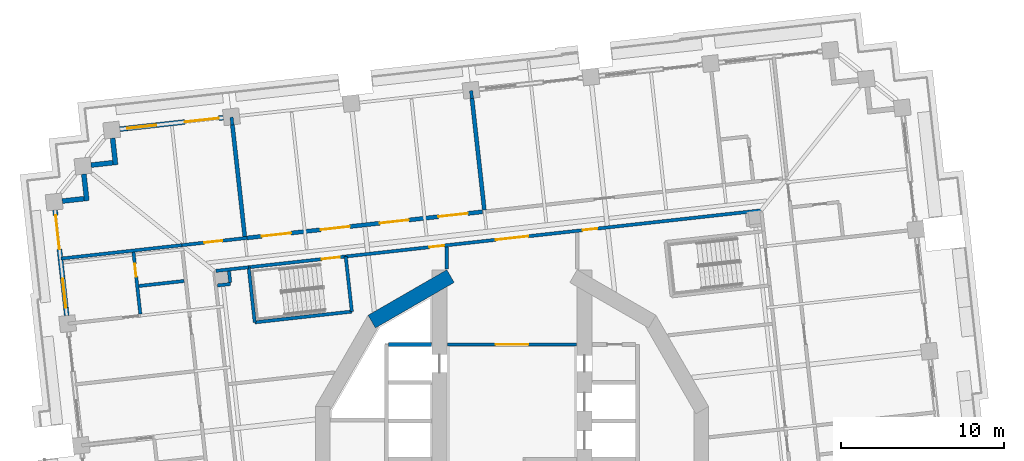
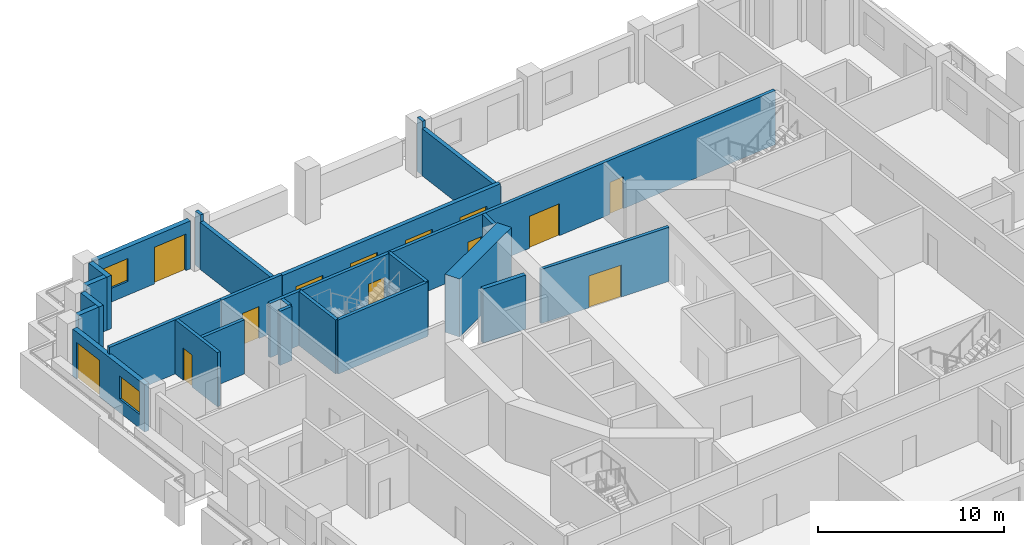
# One storey, part 8 of 19: 27 walls, 13 doors, 2 windows, 15 openings.
"""IFC4 building model written with IfcOpenShell, lengths in metres."""

from ifc_helpers import new_model, si_unit, direction, frame, frame_2d, origin, place, context, subcontext, project, spatial, rectangle, extrude, material, layer, layer_set, type_object, element, fill, save


model = new_model("IFC4")

# Units and contexts
model_context = context("Model", 3, precision=1e-05, world=origin(), true_north=direction((0.0, 1.0)))
body_context = subcontext(model_context, "Body", "Model", "MODEL_VIEW")
ifc_project = project(units=[si_unit("LENGTHUNIT", "METRE"), si_unit("AREAUNIT", "SQUARE_METRE"), si_unit("VOLUMEUNIT", "CUBIC_METRE"), si_unit("PLANEANGLEUNIT", "RADIAN"), si_unit("MASSUNIT", "GRAM", prefix="KILO")], contexts=[model_context])

# Site, building, storey
site_placement = place(None, origin())
site = spatial("IfcSite", under=ifc_project, at=site_placement, CompositionType="ELEMENT")
building_placement = place(site_placement, origin())
building = spatial("IfcBuilding", under=site, at=building_placement, Name="Cantera Rosa Tower", CompositionType="ELEMENT")
storey_placement = place(building_placement, frame((0.0, 0.0, 53.89990234375)))
storey = spatial("IfcBuildingStorey", under=building, at=storey_placement, Name="L10", CompositionType="ELEMENT", Elevation=53.89990234375)

# Walls
ifc_material_1 = material(Name="Gypsum board partition")
ifc_layer_1 = layer(ifc_material_1, 0.199951171875)
ifc_layer_set_1 = layer_set([ifc_layer_1], Name="CORRIDOR WALL 200 H3550")
wall_type_1 = type_object("IfcWallType", Name="CORRIDOR WALL 200 H3550", PredefinedType="PARTITIONING", material=ifc_layer_set_1)
wall_1_placement = place(storey_placement, frame((-16.172607421875, 11.787841796875, 0.0), z_axis=(0.0, 0.0, 1.0), x_axis=(-0.993905752705, -0.110233183482, 0.0)))
element("IfcWall", 1, at=wall_1_placement, inside=storey, type_object=wall_type_1, Name="CORRIDOR WALL L10-021", PredefinedType="PARTITIONING", context=body_context, shape_type="SweptSolid", body=[
    extrude(rectangle(XDim=2.026611328125, YDim=0.199951171875, at=frame_2d((1.01318359375, 0.0))), origin(), (0.0, 0.0, 1.0), 3.550048828125),
])
wall_2_placement = place(storey_placement, frame((-4.0, 13.038818359375, 0.0), z_axis=(0.0, 0.0, 1.0), x_axis=(0.0, -1.0, 0.0)))
element("IfcWall", 2, at=wall_2_placement, inside=storey, type_object=wall_type_1, Name="CORRIDOR WALL L10-051", PredefinedType="PARTITIONING", context=body_context, shape_type="SweptSolid", body=[
    extrude(rectangle(XDim=1.37158203125, YDim=0.199951171875, at=frame_2d((0.685791015625, 0.0))), origin(), (0.0, 0.0, 1.0), 3.550048828125),
])

# Wall, opening, door
wall_3_placement = place(storey_placement, frame((-3.969970703125, 7.050048828125, 0.0), z_axis=(0.0, 0.0, 1.0), x_axis=(1.0, 0.0, 0.0)))
wall_3 = element("IfcWall", 3, at=wall_3_placement, inside=storey, type_object=wall_type_1, Name="CORRIDOR WALL L10-052", PredefinedType="PARTITIONING", context=body_context, shape_type="SweptSolid", body=[
    extrude(rectangle(XDim=7.93994140625, YDim=0.199951171875, at=frame_2d((3.969970703125, 0.0))), origin(), (0.0, 0.0, 1.0), 3.550048828125),
])
opening_1_placement = place(wall_3_placement, frame((2.969970703125, 0.0, 0.0)))
opening_1 = element("IfcOpeningElement", 4, at=opening_1_placement, cuts=wall_3, Name="Opening L10-013", PredefinedType="OPENING", context=body_context, shape_type="SweptSolid", body=[
    extrude(rectangle(XDim=2.0, YDim=2.10009765625, at=frame_2d((1.0, 1.050048828125))), frame((0.0, 0.10986328125, 0.0), z_axis=(0.0, -1.0, 0.0), x_axis=(1.0, 0.0, 0.0)), (0.0, 0.0, 1.0), 0.219970703125),
])
ifc_material_2 = material(Name="Steel S355J2 (EN 10025-2)", Category="steel")
door_type_1 = type_object("IfcDoorType", Name="LOBBY SCREEN DOOR 2000x2100", OperationType="NOTDEFINED", PredefinedType="DOOR", material=ifc_material_2)
door_1_placement = place(opening_1_placement, origin())
door_1 = element("IfcDoor", 5, at=door_1_placement, inside=storey, type_object=door_type_1, Name="DOOR L10-013", OperationType="NOTDEFINED", OverallHeight=2.10009765625, OverallWidth=2.0, PredefinedType="DOOR", context=body_context, shape_type="SweptSolid", body=[
    extrude(rectangle(XDim=2.0, YDim=2.10009765625, at=frame_2d((1.0, 1.050048828125))), frame((0.0, 0.02490234375, 0.0), z_axis=(0.0, -1.0, 0.0), x_axis=(1.0, 0.0, 0.0)), (0.0, 0.0, 1.0), 0.050048828125),
])
fill(opening_1, door_1)

# Wall, openings, doors
wall_4_placement = place(storey_placement, frame((15.3076171875, 15.281982421875, 0.0), z_axis=(0.0, 0.0, 1.0), x_axis=(-0.993896137152, -0.110319846599, 0.0)))
wall_4 = element("IfcWall", 6, at=wall_4_placement, inside=storey, type_object=wall_type_1, Name="CORRIDOR WALL L10-084", PredefinedType="PARTITIONING", context=body_context, shape_type="SweptSolid", body=[
    extrude(rectangle(XDim=25.67333984375, YDim=0.199951171875, at=frame_2d((12.836669921875, 0.0))), origin(), (0.0, 0.0, 1.0), 3.550048828125),
])
opening_2_placement = place(wall_4_placement, frame((10.141357421875, 0.0, 0.0)))
opening_2 = element("IfcOpeningElement", 7, at=opening_2_placement, cuts=wall_4, Name="Opening L10-006", PredefinedType="OPENING", context=body_context, shape_type="SweptSolid", body=[
    extrude(rectangle(XDim=0.89990234375, YDim=2.10009765625, at=frame_2d((0.449951171875, 1.050048828125))), frame((0.0, 0.10986328125, 0.0), z_axis=(0.0, -1.0, 0.0), x_axis=(1.0, 0.0, 0.0)), (0.0, 0.0, 1.0), 0.219970703125),
])
opening_3_placement = place(wall_4_placement, frame((19.600830078125, 0.0, 0.0)))
opening_3 = element("IfcOpeningElement", 8, at=opening_3_placement, cuts=wall_4, Name="Opening L10-007", PredefinedType="OPENING", context=body_context, shape_type="SweptSolid", body=[
    extrude(rectangle(XDim=0.89990234375, YDim=2.10009765625, at=frame_2d((0.449951171875, 1.050048828125))), frame((0.0, 0.10986328125, 0.0), z_axis=(0.0, -1.0, 0.0), x_axis=(1.0, 0.0, 0.0)), (0.0, 0.0, 1.0), 0.219970703125),
])
opening_4_placement = place(wall_4_placement, frame((14.401611328125, 0.0, 0.0)))
opening_4 = element("IfcOpeningElement", 9, at=opening_4_placement, cuts=wall_4, Name="Opening L10-012", PredefinedType="OPENING", context=body_context, shape_type="SweptSolid", body=[
    extrude(rectangle(XDim=2.0, YDim=2.10009765625, at=frame_2d((1.0, 1.050048828125))), frame((0.0, 0.10986328125, 0.0), z_axis=(0.0, -1.0, 0.0), x_axis=(1.0, 0.0, 0.0)), (0.0, 0.0, 1.0), 0.219970703125),
])
door_2_placement = place(opening_4_placement, origin())
door_2 = element("IfcDoor", 10, at=door_2_placement, inside=storey, type_object=door_type_1, Name="DOOR L10-012", OperationType="NOTDEFINED", OverallHeight=2.10009765625, OverallWidth=2.0, PredefinedType="DOOR", context=body_context, shape_type="SweptSolid", body=[
    extrude(rectangle(XDim=2.0, YDim=2.10009765625, at=frame_2d((1.0, 1.050048828125))), frame((0.0, 0.02490234375, 0.0), z_axis=(0.0, -1.0, 0.0), x_axis=(1.0, 0.0, 0.0)), (0.0, 0.0, 1.0), 0.050048828125),
])
fill(opening_4, door_2)
ifc_material_3 = material(Name="Timber door leaf", Category="wood")
door_type_2 = type_object("IfcDoorType", Name="SERVICE DOOR 900x2100", OperationType="NOTDEFINED", PredefinedType="DOOR", material=ifc_material_3)
door_3_placement = place(opening_2_placement, origin())
door_3 = element("IfcDoor", 11, at=door_3_placement, inside=storey, type_object=door_type_2, Name="DOOR L10-006", OperationType="NOTDEFINED", OverallHeight=2.10009765625, OverallWidth=0.89990234375, PredefinedType="DOOR", context=body_context, shape_type="SweptSolid", body=[
    extrude(rectangle(XDim=0.89990234375, YDim=2.10009765625, at=frame_2d((0.449951171875, 1.050048828125))), frame((0.0, 0.02490234375, 0.0), z_axis=(0.0, -1.0, 0.0), x_axis=(1.0, 0.0, 0.0)), (0.0, 0.0, 1.0), 0.050048828125),
])
fill(opening_2, door_3)
door_4_placement = place(opening_3_placement, origin())
door_4 = element("IfcDoor", 12, at=door_4_placement, inside=storey, type_object=door_type_2, Name="DOOR L10-007", OperationType="NOTDEFINED", OverallHeight=2.10009765625, OverallWidth=0.89990234375, PredefinedType="DOOR", context=body_context, shape_type="SweptSolid", body=[
    extrude(rectangle(XDim=0.89990234375, YDim=2.10009765625, at=frame_2d((0.449951171875, 1.050048828125))), frame((0.0, 0.02490234375, 0.0), z_axis=(0.0, -1.0, 0.0), x_axis=(1.0, 0.0, 0.0)), (0.0, 0.0, 1.0), 0.050048828125),
])
fill(opening_3, door_4)

# Wall, opening, door
wall_5_placement = place(storey_placement, frame((-16.273193359375, 13.587890625, 0.0), z_axis=(0.0, 0.0, 1.0), x_axis=(-0.993894825106, -0.110331666476, 0.0)))
wall_5 = element("IfcWall", 13, at=wall_5_placement, inside=storey, type_object=wall_type_1, Name="CORRIDOR WALL L10-093", PredefinedType="PARTITIONING", context=body_context, shape_type="SweptSolid", body=[
    extrude(rectangle(XDim=4.025146484375, YDim=0.199951171875, at=frame_2d((2.0126953125, 0.0))), origin(), (0.0, 0.0, 1.0), 3.550048828125),
])
opening_5_placement = place(wall_5_placement, frame((1.52490234375, 0.0, 0.0)))
opening_5 = element("IfcOpeningElement", 14, at=opening_5_placement, cuts=wall_5, Name="Opening L10-028", PredefinedType="OPENING", context=body_context, shape_type="SweptSolid", body=[
    extrude(rectangle(XDim=1.10009765625, YDim=2.10009765625, at=frame_2d((0.550048828125, 1.050048828125))), frame((0.0, 0.10986328125, 0.0), z_axis=(0.0, -1.0, 0.0), x_axis=(1.0, 0.0, 0.0)), (0.0, 0.0, 1.0), 0.219970703125),
])
ifc_material_4 = material(Name="Timber door leaf", Category="wood")
door_type_3 = type_object("IfcDoorType", Name="ROOM DOOR 1100x2100", OperationType="NOTDEFINED", PredefinedType="DOOR", material=ifc_material_4)
door_5_placement = place(opening_5_placement, origin())
door_5 = element("IfcDoor", 15, at=door_5_placement, inside=storey, type_object=door_type_3, Name="DOOR L10-028", OperationType="NOTDEFINED", OverallHeight=2.10009765625, OverallWidth=1.10009765625, PredefinedType="DOOR", context=body_context, shape_type="SweptSolid", body=[
    extrude(rectangle(XDim=1.10009765625, YDim=2.10009765625, at=frame_2d((0.550048828125, 1.050048828125))), frame((0.0, 0.02490234375, 0.0), z_axis=(0.0, -1.0, 0.0), x_axis=(1.0, 0.0, 0.0)), (0.0, 0.0, 1.0), 0.050048828125),
])
fill(opening_5, door_5)

# Walls
ifc_material_5 = material(Name="Hollow clay masonry with cantera stone cladding", Category="masonry")
ifc_layer_2 = layer(ifc_material_5, 0.300048828125)
ifc_layer_set_2 = layer_set([ifc_layer_2], Name="EW-LOGGIA 300")
wall_type_2 = type_object("IfcWallType", Name="EW-LOGGIA 300", PredefinedType="SOLIDWALL", material=ifc_layer_set_2)
wall_6_placement = place(storey_placement, frame((-24.5244140625, 19.71484375, 0.0), z_axis=(0.0, 0.0, 1.0), x_axis=(0.110236638423, -0.993905369514, 0.0)))
element("IfcWall", 16, at=wall_6_placement, inside=storey, type_object=wall_type_2, Name="EN-L10-W14a", PredefinedType="SOLIDWALL", context=body_context, shape_type="SweptSolid", body=[
    extrude(rectangle(XDim=1.64990234375, YDim=0.300048828125, at=frame_2d((0.824951171875, 0.0))), origin(), (0.0, 0.0, 1.0), 3.5),
])
wall_7_placement = place(storey_placement, frame((-24.508056640625, 18.20751953125, 0.0), z_axis=(0.0, 0.0, 1.0), x_axis=(-0.993896959738, -0.110312435488, 0.0)))
element("IfcWall", 17, at=wall_7_placement, inside=storey, type_object=wall_type_2, Name="EN-L10-W14b", PredefinedType="SOLIDWALL", context=body_context, shape_type="SweptSolid", body=[
    extrude(rectangle(XDim=1.35009765625, YDim=0.300048828125, at=frame_2d((0.675048828125, 0.0))), origin(), (0.0, 0.0, 1.0), 3.5),
])
wall_8_placement = place(storey_placement, frame((-26.291748046875, 17.506591796875, 0.0), z_axis=(0.0, 0.0, 1.0), x_axis=(0.110382805355, -0.993889146878, 0.0)))
element("IfcWall", 18, at=wall_8_placement, inside=storey, type_object=wall_type_2, Name="EN-L10-W15a", PredefinedType="SOLIDWALL", context=body_context, shape_type="SweptSolid", body=[
    extrude(rectangle(XDim=1.64990234375, YDim=0.300048828125, at=frame_2d((0.824951171875, 0.0))), origin(), (0.0, 0.0, 1.0), 3.5),
])
wall_9_placement = place(storey_placement, frame((-26.275146484375, 15.999267578125, 0.0), z_axis=(0.0, 0.0, 1.0), x_axis=(-0.993896959738, -0.110312435488, 0.0)))
element("IfcWall", 19, at=wall_9_placement, inside=storey, type_object=wall_type_2, Name="EN-L10-W15b", PredefinedType="SOLIDWALL", context=body_context, shape_type="SweptSolid", body=[
    extrude(rectangle(XDim=1.35009765625, YDim=0.300048828125, at=frame_2d((0.675048828125, 0.0))), origin(), (0.0, 0.0, 1.0), 3.5),
])

# Wall, openings, window, door
ifc_material_6 = material(Name="Hollow clay masonry with cantera stone cladding", Category="masonry")
ifc_layer_3 = layer(ifc_material_6, 0.300048828125)
ifc_layer_set_3 = layer_set([ifc_layer_3], Name="EW-LOGGIA 300 H3090")
wall_type_3 = type_object("IfcWallType", Name="EW-LOGGIA 300 H3090", PredefinedType="SOLIDWALL", material=ifc_layer_set_3)
wall_10_placement = place(storey_placement, frame((-28.058837890625, 15.298095703125, 0.0), z_axis=(0.0, 0.0, 1.0), x_axis=(0.110312341265, -0.993896970196, 0.0)))
wall_10 = element("IfcWall", 20, at=wall_10_placement, inside=storey, type_object=wall_type_3, Name="EN-L10-W16", PredefinedType="SOLIDWALL", context=body_context, shape_type="SweptSolid", body=[
    extrude(rectangle(XDim=6.52001953125, YDim=0.300048828125, at=frame_2d((3.260009765625, 0.0))), origin(), (0.0, 0.0, 1.0), 3.090087890625),
])
opening_6_placement = place(wall_10_placement, frame((0.330078125, 0.0, 0.0)))
opening_6 = element("IfcOpeningElement", 21, at=opening_6_placement, cuts=wall_10, Name="Opening L10-TD19", PredefinedType="OPENING", context=body_context, shape_type="SweptSolid", body=[
    extrude(rectangle(XDim=2.10009765625, YDim=2.39990234375, at=frame_2d((1.050048828125, 1.199951171875))), frame((0.0, 0.159912109375, 0.0), z_axis=(0.0, -1.0, 0.0), x_axis=(1.0, 0.0, 0.0)), (0.0, 0.0, 1.0), 0.320068359375),
])
opening_7_placement = place(wall_10_placement, frame((4.239990234375, 0.0, 0.89990234375)))
opening_7 = element("IfcOpeningElement", 22, at=opening_7_placement, cuts=wall_10, Name="Opening L10-W20", PredefinedType="OPENING", context=body_context, shape_type="SweptSolid", body=[
    extrude(rectangle(XDim=1.800048828125, YDim=1.5, at=frame_2d((0.89990234375, 0.75))), frame((0.0, 0.159912109375, 0.0), z_axis=(0.0, -1.0, 0.0), x_axis=(1.0, 0.0, 0.0)), (0.0, 0.0, 1.0), 0.320068359375),
])
ifc_material_7 = material(Name="Aluminium frame with clear glass", Category="aluminium")
window_type = type_object("IfcWindowType", Name="Hotel room window 1800x1500", PartitioningType="DOUBLE_PANEL_VERTICAL", PredefinedType="WINDOW", material=ifc_material_7)
window_1_placement = place(opening_7_placement, origin())
window_1 = element("IfcWindow", 23, at=window_1_placement, inside=storey, type_object=window_type, Name="WINDOW L10-W20", OverallHeight=1.5, OverallWidth=1.800048828125, PartitioningType="SINGLE_PANEL", PredefinedType="WINDOW", context=body_context, shape_type="SweptSolid", body=[
    extrude(rectangle(XDim=1.800048828125, YDim=1.5, at=frame_2d((0.89990234375, 0.75))), frame((0.0, 0.030029296875, 0.0), z_axis=(0.0, -1.0, 0.0), x_axis=(1.0, 0.0, 0.0)), (0.0, 0.0, 1.0), 0.06005859375),
])
fill(opening_7, window_1)
ifc_material_8 = material(Name="Aluminium frame with clear glass", Category="aluminium")
door_type_4 = type_object("IfcDoorType", Name="TD-H 2100x2400", OperationType="NOTDEFINED", PredefinedType="DOOR", material=ifc_material_8)
door_6_placement = place(opening_6_placement, origin())
door_6 = element("IfcDoor", 24, at=door_6_placement, inside=storey, type_object=door_type_4, Name="LOGGIA DOOR L10-TD19", OperationType="SLIDING_TO_LEFT", OverallHeight=2.39990234375, OverallWidth=2.10009765625, PredefinedType="DOOR", context=body_context, shape_type="SweptSolid", body=[
    extrude(rectangle(XDim=2.10009765625, YDim=2.39990234375, at=frame_2d((1.050048828125, 1.199951171875))), frame((0.0, 0.02490234375, 0.0), z_axis=(0.0, -1.0, 0.0), x_axis=(1.0, 0.0, 0.0)), (0.0, 0.0, 1.0), 0.050048828125),
])
fill(opening_6, door_6)

ifc_material_9 = material(Name="Hollow clay masonry with cantera stone cladding", Category="masonry")
ifc_layer_4 = layer(ifc_material_9, 0.300048828125)
ifc_layer_set_4 = layer_set([ifc_layer_4], Name="EW-LOGGIA 300 H3140")
wall_type_4 = type_object("IfcWallType", Name="EW-LOGGIA 300 H3140", PredefinedType="SOLIDWALL", material=ifc_layer_set_4)
wall_11_placement = place(storey_placement, frame((-17.7216796875, 20.97314453125, 0.0), z_axis=(0.0, 0.0, 1.0), x_axis=(-0.993896288542, -0.110318482689, 0.0)))
wall_11 = element("IfcWall", 25, at=wall_11_placement, inside=storey, type_object=wall_type_4, Name="EN-L10-W13", PredefinedType="SOLIDWALL", context=body_context, shape_type="SweptSolid", body=[
    extrude(rectangle(XDim=6.400146484375, YDim=0.300048828125, at=frame_2d((3.2001953125, 0.0))), origin(), (0.0, 0.0, 1.0), 3.14013671875),
])
opening_8_placement = place(wall_11_placement, frame((0.300048828125, 0.0, 0.0)))
opening_8 = element("IfcOpeningElement", 26, at=opening_8_placement, cuts=wall_11, Name="Opening L10-TD17", PredefinedType="OPENING", context=body_context, shape_type="SweptSolid", body=[
    extrude(rectangle(XDim=2.10009765625, YDim=2.39990234375, at=frame_2d((1.050048828125, 1.199951171875))), frame((0.0, 0.159912109375, 0.0), z_axis=(0.0, -1.0, 0.0), x_axis=(1.0, 0.0, 0.0)), (0.0, 0.0, 1.0), 0.320068359375),
])
opening_9_placement = place(wall_11_placement, frame((4.14990234375, 0.0, 0.89990234375)))
opening_9 = element("IfcOpeningElement", 27, at=opening_9_placement, cuts=wall_11, Name="Opening L10-W18", PredefinedType="OPENING", context=body_context, shape_type="SweptSolid", body=[
    extrude(rectangle(XDim=1.800048828125, YDim=1.5, at=frame_2d((0.89990234375, 0.75))), frame((0.0, 0.159912109375, 0.0), z_axis=(0.0, -1.0, 0.0), x_axis=(1.0, 0.0, 0.0)), (0.0, 0.0, 1.0), 0.320068359375),
])
window_2_placement = place(opening_9_placement, origin())
window_2 = element("IfcWindow", 28, at=window_2_placement, inside=storey, type_object=window_type, Name="WINDOW L10-W18", OverallHeight=1.5, OverallWidth=1.800048828125, PartitioningType="SINGLE_PANEL", PredefinedType="WINDOW", context=body_context, shape_type="SweptSolid", body=[
    extrude(rectangle(XDim=1.800048828125, YDim=1.5, at=frame_2d((0.89990234375, 0.75))), frame((0.0, 0.030029296875, 0.0), z_axis=(0.0, -1.0, 0.0), x_axis=(1.0, 0.0, 0.0)), (0.0, 0.0, 1.0), 0.06005859375),
])
fill(opening_9, window_2)
door_7_placement = place(opening_8_placement, origin())
door_7 = element("IfcDoor", 29, at=door_7_placement, inside=storey, type_object=door_type_4, Name="LOGGIA DOOR L10-TD17", OperationType="SLIDING_TO_LEFT", OverallHeight=2.39990234375, OverallWidth=2.10009765625, PredefinedType="DOOR", context=body_context, shape_type="SweptSolid", body=[
    extrude(rectangle(XDim=2.10009765625, YDim=2.39990234375, at=frame_2d((1.050048828125, 1.199951171875))), frame((0.0, 0.02490234375, 0.0), z_axis=(0.0, -1.0, 0.0), x_axis=(1.0, 0.0, 0.0)), (0.0, 0.0, 1.0), 0.050048828125),
])
fill(opening_8, door_7)

# Walls
ifc_material_10 = material(Name="Concrete C40/50", Category="concrete")
ifc_layer_5 = layer(ifc_material_10, 0.25)
ifc_layer_set_5 = layer_set([ifc_layer_5], Name="EW-POCKET CHEEK 250 H3090")
wall_type_5 = type_object("IfcWallType", Name="EW-POCKET CHEEK 250 H3090", PredefinedType="SOLIDWALL", material=ifc_layer_set_5)
for number, where, z_axis, x_axis, name in (
    (30, (-2.4599609375, 22.163818359375, 0.0), (0.0, 0.0, 1.0), (0.110322788799, -0.993895810572, 0.0), "POCKET CHEEK A L10"),
    (31, (-17.169677734375, 20.53125, 0.0), (0.0, 0.0, 1.0), (0.110322788799, -0.993895810572, 0.0), "POCKET CHEEK B L10"),
):
    element("IfcWall", number, at=place(storey_placement, frame(where, z_axis=z_axis, x_axis=x_axis)), inside=storey, type_object=wall_type_5, Name=name, PredefinedType="SOLIDWALL", context=body_context, shape_type="SweptSolid", body=[
        extrude(rectangle(XDim=6.900146484375, YDim=0.25, at=frame_2d((3.4501953125, 0.0))), origin(), (0.0, 0.0, 1.0), 3.090087890625),
    ])

# Wall, openings, doors
ifc_material_11 = material(Name="Hollow clay masonry with cantera stone cladding", Category="masonry")
ifc_layer_6 = layer(ifc_material_11, 0.25)
ifc_layer_set_6 = layer_set([ifc_layer_6], Name="EW-POCKET REAR 250")
wall_type_6 = type_object("IfcWallType", Name="EW-POCKET REAR 250", PredefinedType="SOLIDWALL", material=ifc_layer_set_6)
wall_12_placement = place(storey_placement, frame((-1.81201171875, 15.19287109375, 0.0), z_axis=(0.0, 0.0, 1.0), x_axis=(-0.993897437056, -0.110308134844, 0.0)))
wall_12 = element("IfcWall", 32, at=wall_12_placement, inside=storey, type_object=wall_type_6, Name="POCKET REAR L10", PredefinedType="SOLIDWALL", context=body_context, shape_type="SweptSolid", body=[
    extrude(rectangle(XDim=14.550048828125, YDim=0.25, at=frame_2d((7.27490234375, 0.0))), origin(), (0.0, 0.0, 1.0), 3.5),
])
opening_10_placement = place(wall_12_placement, frame((0.918701171875, 0.0, 0.0)))
opening_10 = element("IfcOpeningElement", 33, at=opening_10_placement, cuts=wall_12, Name="Opening L10-LT01", PredefinedType="OPENING", context=body_context, shape_type="SweptSolid", body=[
    extrude(rectangle(XDim=1.800048828125, YDim=2.39990234375, at=frame_2d((0.89990234375, 1.199951171875))), frame((0.0, 0.135009765625, 0.0), z_axis=(0.0, -1.0, 0.0), x_axis=(1.0, 0.0, 0.0)), (0.0, 0.0, 1.0), 0.27001953125),
])
opening_11_placement = place(wall_12_placement, frame((4.55615234375, 0.0, 0.0)))
opening_11 = element("IfcOpeningElement", 34, at=opening_11_placement, cuts=wall_12, Name="Opening L10-LT02", PredefinedType="OPENING", context=body_context, shape_type="SweptSolid", body=[
    extrude(rectangle(XDim=1.800048828125, YDim=2.39990234375, at=frame_2d((0.89990234375, 1.199951171875))), frame((0.0, 0.135009765625, 0.0), z_axis=(0.0, -1.0, 0.0), x_axis=(1.0, 0.0, 0.0)), (0.0, 0.0, 1.0), 0.27001953125),
])
opening_12_placement = place(wall_12_placement, frame((8.19384765625, 0.0, 0.0)))
opening_12 = element("IfcOpeningElement", 35, at=opening_12_placement, cuts=wall_12, Name="Opening L10-LT03", PredefinedType="OPENING", context=body_context, shape_type="SweptSolid", body=[
    extrude(rectangle(XDim=1.800048828125, YDim=2.39990234375, at=frame_2d((0.89990234375, 1.199951171875))), frame((0.0, 0.135009765625, 0.0), z_axis=(0.0, -1.0, 0.0), x_axis=(1.0, 0.0, 0.0)), (0.0, 0.0, 1.0), 0.27001953125),
])
opening_13_placement = place(wall_12_placement, frame((11.831298828125, 0.0, 0.0)))
opening_13 = element("IfcOpeningElement", 36, at=opening_13_placement, cuts=wall_12, Name="Opening L10-LT04", PredefinedType="OPENING", context=body_context, shape_type="SweptSolid", body=[
    extrude(rectangle(XDim=1.800048828125, YDim=2.39990234375, at=frame_2d((0.89990234375, 1.199951171875))), frame((0.0, 0.135009765625, 0.0), z_axis=(0.0, -1.0, 0.0), x_axis=(1.0, 0.0, 0.0)), (0.0, 0.0, 1.0), 0.27001953125),
])
ifc_material_12 = material(Name="Aluminium frame with clear glass", Category="aluminium")
door_type_5 = type_object("IfcDoorType", Name="TD-T 1800x2400", OperationType="NOTDEFINED", PredefinedType="DOOR", material=ifc_material_12)
door_8_placement = place(opening_10_placement, origin())
door_8 = element("IfcDoor", 37, at=door_8_placement, inside=storey, type_object=door_type_5, Name="TERRACE DOOR L10-LT01", OperationType="DOUBLE_DOOR_SINGLE_SWING", OverallHeight=2.39990234375, OverallWidth=1.800048828125, PredefinedType="DOOR", context=body_context, shape_type="SweptSolid", body=[
    extrude(rectangle(XDim=1.800048828125, YDim=2.39990234375, at=frame_2d((0.89990234375, 1.199951171875))), frame((0.0, 0.02490234375, 0.0), z_axis=(0.0, -1.0, 0.0), x_axis=(1.0, 0.0, 0.0)), (0.0, 0.0, 1.0), 0.050048828125),
])
fill(opening_10, door_8)
door_9_placement = place(opening_11_placement, origin())
door_9 = element("IfcDoor", 38, at=door_9_placement, inside=storey, type_object=door_type_5, Name="TERRACE DOOR L10-LT02", OperationType="DOUBLE_DOOR_SINGLE_SWING", OverallHeight=2.39990234375, OverallWidth=1.800048828125, PredefinedType="DOOR", context=body_context, shape_type="SweptSolid", body=[
    extrude(rectangle(XDim=1.800048828125, YDim=2.39990234375, at=frame_2d((0.89990234375, 1.199951171875))), frame((0.0, 0.02490234375, 0.0), z_axis=(0.0, -1.0, 0.0), x_axis=(1.0, 0.0, 0.0)), (0.0, 0.0, 1.0), 0.050048828125),
])
fill(opening_11, door_9)
door_10_placement = place(opening_12_placement, origin())
door_10 = element("IfcDoor", 39, at=door_10_placement, inside=storey, type_object=door_type_5, Name="TERRACE DOOR L10-LT03", OperationType="DOUBLE_DOOR_SINGLE_SWING", OverallHeight=2.39990234375, OverallWidth=1.800048828125, PredefinedType="DOOR", context=body_context, shape_type="SweptSolid", body=[
    extrude(rectangle(XDim=1.800048828125, YDim=2.39990234375, at=frame_2d((0.89990234375, 1.199951171875))), frame((0.0, 0.02490234375, 0.0), z_axis=(0.0, -1.0, 0.0), x_axis=(1.0, 0.0, 0.0)), (0.0, 0.0, 1.0), 0.050048828125),
])
fill(opening_12, door_10)
door_11_placement = place(opening_13_placement, origin())
door_11 = element("IfcDoor", 40, at=door_11_placement, inside=storey, type_object=door_type_5, Name="TERRACE DOOR L10-LT04", OperationType="DOUBLE_DOOR_SINGLE_SWING", OverallHeight=2.39990234375, OverallWidth=1.800048828125, PredefinedType="DOOR", context=body_context, shape_type="SweptSolid", body=[
    extrude(rectangle(XDim=1.800048828125, YDim=2.39990234375, at=frame_2d((0.89990234375, 1.199951171875))), frame((0.0, 0.02490234375, 0.0), z_axis=(0.0, -1.0, 0.0), x_axis=(1.0, 0.0, 0.0)), (0.0, 0.0, 1.0), 0.050048828125),
])
fill(opening_13, door_11)

# Wall, opening, door
ifc_material_13 = material(Name="Gypsum board partition")
ifc_layer_7 = layer(ifc_material_13, 0.199951171875)
ifc_layer_set_7 = layer_set([ifc_layer_7], Name="PARTITION 200 H3550")
wall_type_7 = type_object("IfcWallType", Name="PARTITION 200 H3550", PredefinedType="PARTITIONING", material=ifc_layer_set_7)
wall_13_placement = place(storey_placement, frame((-23.244384765625, 12.71337890625, 0.0), z_axis=(0.0, 0.0, 1.0), x_axis=(0.110312274665, -0.993896977588, 0.0)))
wall_13 = element("IfcWall", 41, at=wall_13_placement, inside=storey, type_object=wall_type_7, Name="PARTITION L10-002", PredefinedType="PARTITIONING", context=body_context, shape_type="SweptSolid", body=[
    extrude(rectangle(XDim=3.81982421875, YDim=0.199951171875, at=frame_2d((1.909912109375, 0.0))), origin(), (0.0, 0.0, 1.0), 3.550048828125),
])
opening_14_placement = place(wall_13_placement, frame((0.7099609375, 0.0, 0.0)))
opening_14 = element("IfcOpeningElement", 42, at=opening_14_placement, cuts=wall_13, Name="Opening L10-031", PredefinedType="OPENING", context=body_context, shape_type="SweptSolid", body=[
    extrude(rectangle(XDim=0.800048828125, YDim=2.10009765625, at=frame_2d((0.39990234375, 1.050048828125))), frame((0.0, 0.10986328125, 0.0), z_axis=(0.0, -1.0, 0.0), x_axis=(1.0, 0.0, 0.0)), (0.0, 0.0, 1.0), 0.219970703125),
])
ifc_material_14 = material(Name="Timber door leaf", Category="wood")
door_type_6 = type_object("IfcDoorType", Name="BATHROOM DOOR 800x2100", OperationType="NOTDEFINED", PredefinedType="DOOR", material=ifc_material_14)
door_12_placement = place(opening_14_placement, origin())
door_12 = element("IfcDoor", 43, at=door_12_placement, inside=storey, type_object=door_type_6, Name="DOOR L10-031", OperationType="NOTDEFINED", OverallHeight=2.10009765625, OverallWidth=0.800048828125, PredefinedType="DOOR", context=body_context, shape_type="SweptSolid", body=[
    extrude(rectangle(XDim=0.800048828125, YDim=2.10009765625, at=frame_2d((0.39990234375, 1.050048828125))), frame((0.0, 0.02490234375, 0.0), z_axis=(0.0, -1.0, 0.0), x_axis=(1.0, 0.0, 0.0)), (0.0, 0.0, 1.0), 0.050048828125),
])
fill(opening_14, door_12)

# Walls
wall_14_placement = place(storey_placement, frame((-20.13037109375, 10.9462890625, 0.0), z_axis=(0.0, 0.0, 1.0), x_axis=(-0.99388905004, -0.110383677283, 0.0)))
element("IfcWall", 44, at=wall_14_placement, inside=storey, type_object=wall_type_7, Name="PARTITION L10-010", PredefinedType="PARTITIONING", context=body_context, shape_type="SweptSolid", body=[
    extrude(rectangle(XDim=2.800048828125, YDim=0.199951171875, at=frame_2d((1.39990234375, 0.0))), origin(), (0.0, 0.0, 1.0), 3.550048828125),
])
wall_15_placement = place(storey_placement, frame((-18.08740234375, 10.669921875, 0.0), z_axis=(0.0, 0.0, 1.0), x_axis=(0.993913470482, 0.110163574714, 0.0)))
element("IfcWall", 45, at=wall_15_placement, inside=storey, type_object=wall_type_7, Name="PARTITION L10-015", PredefinedType="PARTITIONING", context=body_context, shape_type="SweptSolid", body=[
    extrude(rectangle(XDim=0.800048828125, YDim=0.199951171875, at=frame_2d((0.39990234375, 0.0))), origin(), (0.0, 0.0, 1.0), 3.550048828125),
])
wall_16_placement = place(storey_placement, frame((-17.30322265625, 10.857421875, 0.0), z_axis=(0.0, 0.0, 1.0), x_axis=(-0.110546349969, 0.993870969748, 0.0)))
element("IfcWall", 46, at=wall_16_placement, inside=storey, type_object=wall_type_7, Name="PARTITION L10-017", PredefinedType="PARTITIONING", context=body_context, shape_type="SweptSolid", body=[
    extrude(rectangle(XDim=0.7001953125, YDim=0.199951171875, at=frame_2d((0.35009765625, 0.0))), origin(), (0.0, 0.0, 1.0), 3.550048828125),
])
wall_17_placement = place(storey_placement, frame((-17.221435546875, 20.998291015625, 0.0), z_axis=(0.0, 0.0, 1.0), x_axis=(0.110146397974, -0.993915374171, 0.0)))
element("IfcWall", 47, at=wall_17_placement, inside=storey, type_object=wall_type_7, Name="PARTITION L10-018", PredefinedType="PARTITIONING", context=body_context, shape_type="SweptSolid", body=[
    extrude(rectangle(XDim=0.469970703125, YDim=0.199951171875, at=frame_2d((0.23486328125, 0.0))), origin(), (0.0, 0.0, 1.0), 3.550048828125),
])
wall_18_placement = place(storey_placement, frame((-2.4599609375, 22.163818359375, 0.0), z_axis=(0.0, 0.0, 1.0), x_axis=(-0.110089547864, 0.993921672694, 0.0)))
element("IfcWall", 48, at=wall_18_placement, inside=storey, type_object=wall_type_7, Name="PARTITION L10-053", PredefinedType="PARTITIONING", context=body_context, shape_type="SweptSolid", body=[
    extrude(rectangle(XDim=0.47021484375, YDim=0.199951171875, at=frame_2d((0.235107421875, 0.0))), origin(), (0.0, 0.0, 1.0), 3.550048828125),
])
ifc_material_15 = material(Name="Gypsum board partition")
ifc_layer_8 = layer(ifc_material_15, 0.199951171875)
ifc_layer_set_8 = layer_set([ifc_layer_8], Name="PARTY WALL 200 H3550")
wall_type_8 = type_object("IfcWallType", Name="PARTY WALL 200 H3550", PredefinedType="PARTITIONING", material=ifc_layer_set_8)
wall_19_placement = place(storey_placement, frame((-20.273681640625, 13.143798828125, 0.0), z_axis=(0.0, 0.0, 1.0), x_axis=(-0.993894093242, -0.110338259085, 0.0)))
element("IfcWall", 49, at=wall_19_placement, inside=storey, type_object=wall_type_8, Name="PARTY WALL L10-007", PredefinedType="PARTITIONING", context=body_context, shape_type="SweptSolid", body=[
    extrude(rectangle(XDim=7.469970703125, YDim=0.199951171875, at=frame_2d((3.73486328125, 0.0))), origin(), (0.0, 0.0, 1.0), 3.550048828125),
])
ifc_material_16 = material(Name="Concrete C70/85", Category="concrete")
ifc_layer_9 = layer(ifc_material_16, 0.89990234375)
ifc_layer_set_9 = layer_set([ifc_layer_9], Name="RC CORE WALL 900 C70/85")
wall_type_9 = type_object("IfcWallType", Name="RC CORE WALL 900 C70/85", PredefinedType="SHEAR", material=ifc_layer_set_9)
wall_20_placement = place(storey_placement, frame((-8.61376953125, 8.44921875, 0.0), z_axis=(0.0, 0.0, 1.0), x_axis=(0.866026961591, 0.49999730179, 0.0)))
element("IfcWall", 50, at=wall_20_placement, inside=storey, type_object=wall_type_9, Name="CW-W5 L10", PredefinedType="SHEAR", context=body_context, shape_type="SweptSolid", body=[
    extrude(rectangle(XDim=5.58740234375, YDim=0.89990234375, at=frame_2d((2.793701171875, 0.0))), origin(), (0.0, 0.0, 1.0), 3.800048828125),
])
ifc_material_17 = material(Name="Masonry blockwork", Category="masonry")
ifc_layer_10 = layer(ifc_material_17, 0.25)
ifc_layer_set_10 = layer_set([ifc_layer_10], Name="SHAFT WALL 250 H3550")
wall_type_10 = type_object("IfcWallType", Name="SHAFT WALL 250 H3550", PredefinedType="SOLIDWALL", material=ifc_layer_set_10)
wall_21_placement = place(storey_placement, frame((-4.929931640625, 7.050048828125, 0.0), z_axis=(0.0, 0.0, 1.0), x_axis=(-1.0, 0.0, 0.0)))
element("IfcWall", 51, at=wall_21_placement, inside=storey, type_object=wall_type_10, Name="SHAFT WALL L10-048", PredefinedType="SOLIDWALL", context=body_context, shape_type="SweptSolid", body=[
    extrude(rectangle(XDim=2.650146484375, YDim=0.25, at=frame_2d((1.3251953125, 0.0))), origin(), (0.0, 0.0, 1.0), 3.550048828125),
])
ifc_material_18 = material(Name="Concrete C50/60", Category="concrete")
ifc_layer_11 = layer(ifc_material_18, 0.199951171875)
ifc_layer_set_11 = layer_set([ifc_layer_11], Name="STAIR WALL 200 H3550")
wall_type_11 = type_object("IfcWallType", Name="STAIR WALL 200 H3550", PredefinedType="SOLIDWALL", material=ifc_layer_set_11)
wall_22_placement = place(storey_placement, frame((-16.172607421875, 11.787841796875, 0.0), z_axis=(0.0, 0.0, 1.0), x_axis=(0.110368557057, -0.993890729212, 0.0)))
element("IfcWall", 52, at=wall_22_placement, inside=storey, type_object=wall_type_11, Name="STAIR WALL L10-022", PredefinedType="SOLIDWALL", context=body_context, shape_type="SweptSolid", body=[
    extrude(rectangle(XDim=3.404296875, YDim=0.199951171875, at=frame_2d((1.7021484375, 0.0))), origin(), (0.0, 0.0, 1.0), 3.550048828125),
])
wall_23_placement = place(storey_placement, frame((-15.796875, 8.404296875, 0.0), z_axis=(0.0, 0.0, 1.0), x_axis=(0.993897125329, 0.110310943534, 0.0)))
element("IfcWall", 53, at=wall_23_placement, inside=storey, type_object=wall_type_11, Name="STAIR WALL L10-024", PredefinedType="SOLIDWALL", context=body_context, shape_type="SweptSolid", body=[
    extrude(rectangle(XDim=6.0, YDim=0.199951171875, at=frame_2d((3.0, 0.0))), origin(), (0.0, 0.0, 1.0), 3.550048828125),
])

# Wall, opening, door
wall_24_placement = place(storey_placement, frame((-10.208984375, 12.44970703125, 0.0), z_axis=(0.0, 0.0, 1.0), x_axis=(-0.993897620437, -0.11030648254, 0.0)))
wall_24 = element("IfcWall", 54, at=wall_24_placement, inside=storey, type_object=wall_type_11, Name="STAIR WALL L10-033", PredefinedType="SOLIDWALL", context=body_context, shape_type="SweptSolid", body=[
    extrude(rectangle(XDim=6.000244140625, YDim=0.199951171875, at=frame_2d((3.0, 0.0))), origin(), (0.0, 0.0, 1.0), 3.550048828125),
])
opening_15_placement = place(wall_24_placement, frame((0.375, 0.0, 0.0)))
opening_15 = element("IfcOpeningElement", 55, at=opening_15_placement, cuts=wall_24, Name="Opening L10-002", PredefinedType="OPENING", context=body_context, shape_type="SweptSolid", body=[
    extrude(rectangle(XDim=1.10009765625, YDim=2.10009765625, at=frame_2d((0.550048828125, 1.050048828125))), frame((0.0, 0.10986328125, 0.0), z_axis=(0.0, -1.0, 0.0), x_axis=(1.0, 0.0, 0.0)), (0.0, 0.0, 1.0), 0.219970703125),
])
ifc_material_19 = material(Name="Steel S355J2 (EN 10025-2)", Category="steel")
door_type_7 = type_object("IfcDoorType", Name="STAIR DOOR 1100x2100", OperationType="NOTDEFINED", PredefinedType="DOOR", material=ifc_material_19)
door_13_placement = place(opening_15_placement, origin())
door_13 = element("IfcDoor", 56, at=door_13_placement, inside=storey, type_object=door_type_7, Name="DOOR L10-002", OperationType="NOTDEFINED", OverallHeight=2.10009765625, OverallWidth=1.10009765625, PredefinedType="DOOR", context=body_context, shape_type="SweptSolid", body=[
    extrude(rectangle(XDim=1.10009765625, YDim=2.10009765625, at=frame_2d((0.550048828125, 1.050048828125))), frame((0.0, 0.02490234375, 0.0), z_axis=(0.0, -1.0, 0.0), x_axis=(1.0, 0.0, 0.0)), (0.0, 0.0, 1.0), 0.050048828125),
])
fill(opening_15, door_13)

# Wall
wall_25_placement = place(storey_placement, frame((-9.83349609375, 9.066162109375, 0.0), z_axis=(0.0, 0.0, 1.0), x_axis=(-0.110297715324, 0.993898593416, 0.0)))
element("IfcWall", 57, at=wall_25_placement, inside=storey, type_object=wall_type_11, Name="STAIR WALL L10-034", PredefinedType="SOLIDWALL", context=body_context, shape_type="SweptSolid", body=[
    extrude(rectangle(XDim=3.404296875, YDim=0.199951171875, at=frame_2d((1.7021484375, 0.0))), origin(), (0.0, 0.0, 1.0), 3.550048828125),
])

save(model, "model.ifc")
